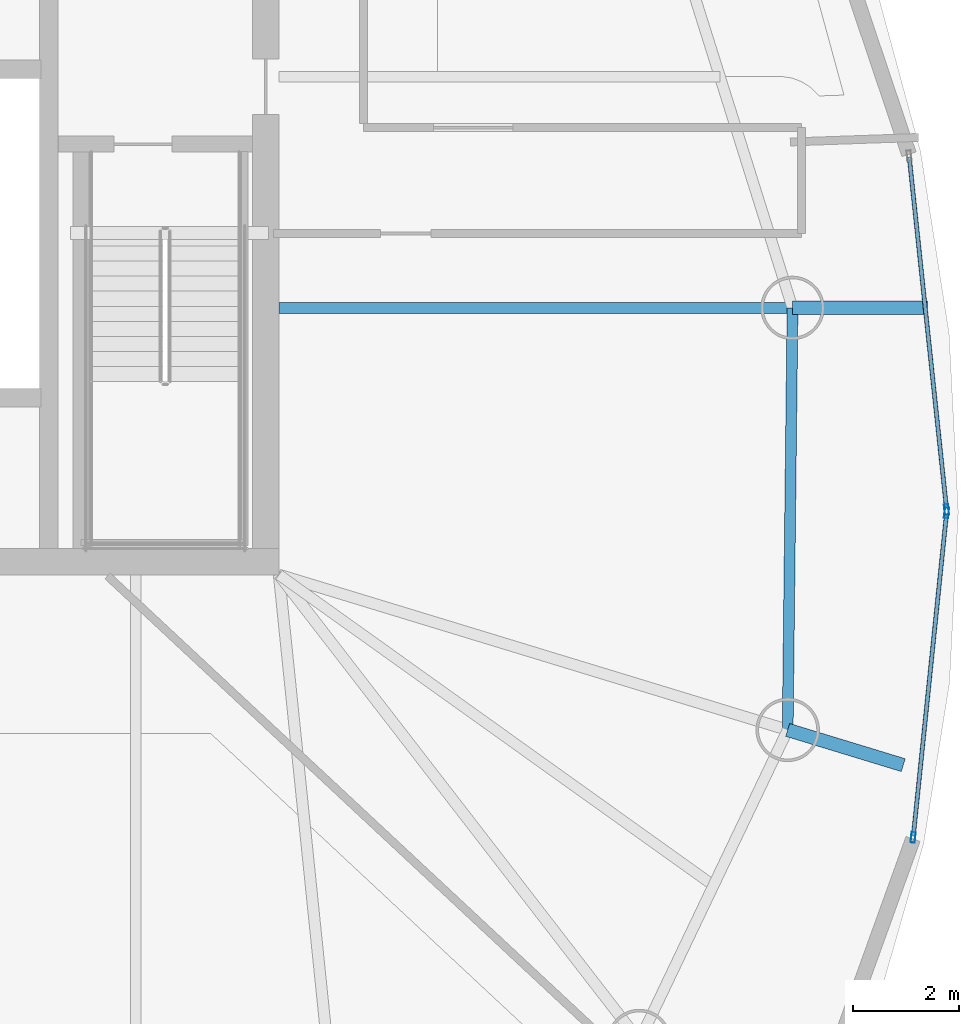
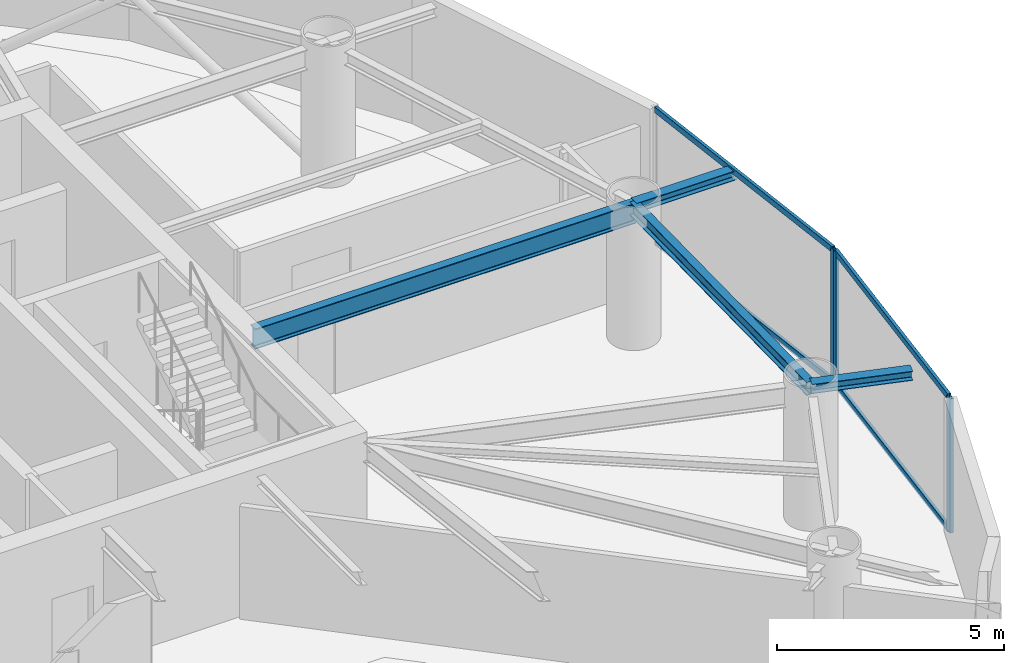
# One storey, part 7 of 20: 7 members, 4 beams, 2 elements without a shape of their own.
"""IFC4 building model written with IfcOpenShell, lengths in metres."""

from ifc_helpers import new_model, si_unit, direction, frame, origin, origin_2d, place, context, subcontext, project, spatial, hollow_rectangle, i_section, extrude, material, layer, layer_set, material_profile, profile_set, type_object, element, aggregate, save


model = new_model("IFC4")

# Units and contexts
model_context = context("Model", 3, precision=1e-05, world=origin(), true_north=direction((0.0, 1.0)))
body_context = subcontext(model_context, "Body", "Model", "MODEL_VIEW")
ifc_project = project(units=[si_unit("LENGTHUNIT", "METRE"), si_unit("AREAUNIT", "SQUARE_METRE"), si_unit("VOLUMEUNIT", "CUBIC_METRE"), si_unit("PLANEANGLEUNIT", "RADIAN"), si_unit("MASSUNIT", "GRAM", prefix="KILO")], contexts=[model_context])

# Site, building, storey
site_placement = place(None, origin())
site = spatial("IfcSite", under=ifc_project, at=site_placement, CompositionType="ELEMENT")
building_placement = place(site_placement, origin())
building = spatial("IfcBuilding", under=site, at=building_placement, Name="Bramvorn Convention Spire", CompositionType="ELEMENT")
storey_placement = place(building_placement, frame((0.0, 0.0, 228.949951171875)))
storey = spatial("IfcBuildingStorey", under=building, at=storey_placement, Name="L58", CompositionType="ELEMENT", Elevation=228.949951171875)

# Beams
ifc_material_1 = material(Name="Steel CSA G40.21 Grade 350 (350W)", Category="steel")
ifc_material_profile_1 = material_profile(ifc_material_1, i_section(OverallWidth=0.25390625, OverallDepth=0.2529296875, WebThickness=0.008544921875, FlangeThickness=0.01416015625, FilletRadius=0.011962890625, at=origin_2d()))
ifc_profile_set_1 = profile_set([ifc_material_profile_1], Name="Steel CSA G40.21 Grade 350 (350W) - W250X73")
beam_type_1 = type_object("IfcBeamType", Name="BM-W250X73", PredefinedType="BEAM", material=ifc_profile_set_1)
beam_1_placement = place(storey_placement, frame((58.863037109375, 15.619384765625, 3.49365234375), z_axis=(0.956563765384, -0.291523177045, 0.0), x_axis=(0.291523177045, 0.956563765384, 0.0)))
element("IfcBeam", 1, at=beam_1_placement, inside=storey, type_object=beam_type_1, Name="L58 slab-edge cantilever tip beam MC02", PredefinedType="BEAM", context=body_context, shape_type="SweptSolid", body=[
    extrude(i_section(OverallWidth=0.25390625, OverallDepth=0.2529296875, WebThickness=0.008544921875, FlangeThickness=0.01416015625, FilletRadius=0.011962890625, at=origin_2d()), origin(), (0.0, 0.0, 1.0), 2.28369140625),
])
beam_2_placement = place(storey_placement, frame((58.95458984375, 23.593505859375, 3.49365234375), z_axis=(1.0, 0.0, 0.0), x_axis=(0.0, 1.0, 0.0)))
element("IfcBeam", 2, at=beam_2_placement, inside=storey, type_object=beam_type_1, Name="L58 slab-edge cantilever tip beam MC03", PredefinedType="BEAM", context=body_context, shape_type="SweptSolid", body=[
    extrude(i_section(OverallWidth=0.25390625, OverallDepth=0.2529296875, WebThickness=0.008544921875, FlangeThickness=0.01416015625, FilletRadius=0.011962890625, at=origin_2d()), origin(), (0.0, 0.0, 1.0), 2.554931640625),
])
ifc_material_profile_2 = material_profile(ifc_material_1, i_section(OverallWidth=0.205078125, OverallDepth=0.35400390625, WebThickness=0.009521484375, FlangeThickness=0.016845703125, FilletRadius=0.014892578125, at=origin_2d()))
ifc_profile_set_2 = profile_set([ifc_material_profile_2], Name="Steel CSA G40.21 Grade 350 (350W) - W360X79")
beam_type_2 = type_object("IfcBeamType", Name="BM-W360X79", PredefinedType="JOIST", material=ifc_profile_set_2)
beam_3_placement = place(storey_placement, frame((58.863037109375, 15.619384765625, 3.443115234375), z_axis=(0.011480475367, 0.999934097171, 0.0), x_axis=(-0.999934097171, 0.011480475367, 0.0)))
element("IfcBeam", 3, at=beam_3_placement, inside=storey, type_object=beam_type_2, Name="L58 mega-column ring beam 02", PredefinedType="JOIST", context=body_context, shape_type="SweptSolid", body=[
    extrude(i_section(OverallWidth=0.205078125, OverallDepth=0.35400390625, WebThickness=0.009521484375, FlangeThickness=0.016845703125, FilletRadius=0.014892578125, at=origin_2d()), origin(), (0.0, 0.0, 1.0), 7.974609375),
])
ifc_material_profile_3 = material_profile(ifc_material_1, i_section(OverallWidth=0.2119140625, OverallDepth=0.5439453125, WebThickness=0.01318359375, FlangeThickness=0.021240234375, FilletRadius=0.01904296875, at=origin_2d()))
ifc_profile_set_3 = profile_set([ifc_material_profile_3], Name="Steel CSA G40.21 Grade 350 (350W) - W530X123")
beam_type_3 = type_object("IfcBeamType", Name="BM-W530X123", PredefinedType="BEAM", material=ifc_profile_set_3)
beam_4_placement = place(storey_placement, frame((49.25, 23.593505859375, 3.34814453125), z_axis=(1.0, 0.0, 0.0), x_axis=(0.0, 1.0, 0.0)))
element("IfcBeam", 4, at=beam_4_placement, inside=storey, type_object=beam_type_3, Name="L58 radial floor girder MC03", PredefinedType="BEAM", context=body_context, shape_type="SweptSolid", body=[
    extrude(i_section(OverallWidth=0.2119140625, OverallDepth=0.5439453125, WebThickness=0.01318359375, FlangeThickness=0.021240234375, FilletRadius=0.01904296875, at=origin_2d()), origin(), (0.0, 0.0, 1.0), 9.70458984375),
])

# Curtain wall, members
ifc_material_2 = material(Name="Anodised Bronze Unitised Curtain Wall", Category="aluminium")
ifc_layer = layer(ifc_material_2, 0.179931640625)
ifc_layer_set = layer_set([ifc_layer], Name="Anodised Bronze Unitised Curtain Wall - CW-OFF-FRIT")
curtain_wall_type = type_object("IfcCurtainWallType", Name="CW-OFF-FRIT", PredefinedType="USERDEFINED", material=ifc_layer_set)
curtain_wall_1_placement = place(storey_placement, origin())
curtain_wall_1 = element("IfcCurtainWall", 5, at=curtain_wall_1_placement, inside=storey, type_object=curtain_wall_type, Name="L58 fritted glass curtain wall 03", ObjectType="UNITISED CURTAIN WALL", PredefinedType="USERDEFINED")
ifc_material_3 = material(Name="Anodised Bronze Aluminium 6063-T6", Category="aluminium")
ifc_material_profile_4 = material_profile(ifc_material_3, hollow_rectangle(XDim=0.080078125, YDim=0.199951171875, WallThickness=0.00390625, InnerFilletRadius=0.0009765625, OuterFilletRadius=0.00390625, at=origin_2d()))
ifc_profile_set_4 = profile_set([ifc_material_profile_4], Name="Anodised Bronze Aluminium 6063-T6 - CWM80X200")
member_type_1 = type_object("IfcMemberType", Name="CW-MUL-180", PredefinedType="MULLION", material=ifc_profile_set_4)
member_1_placement = place(storey_placement, frame((61.866455078125, 19.721923828125, 0.0), z_axis=(0.0, 0.0, 1.0), x_axis=(0.994741277779, -0.102419677219, 0.0)))
member_1 = element("IfcMember", 6, at=member_1_placement, type_object=member_type_1, Name="CW3 mullion 1", PredefinedType="MULLION", context=body_context, shape_type="SweptSolid", body=[
    extrude(hollow_rectangle(XDim=0.080078125, YDim=0.199951171875, WallThickness=0.00390625, InnerFilletRadius=0.0009765625, OuterFilletRadius=0.00390625, at=origin_2d()), origin(), (0.0, 0.0, 1.0), 3.6201171875),
])
member_2_placement = place(storey_placement, frame((61.23486328125, 13.588134765625, 0.0), z_axis=(0.0, 0.0, 1.0), x_axis=(0.994741277779, -0.102419677219, 0.0)))
member_2 = element("IfcMember", 7, at=member_2_placement, type_object=member_type_1, Name="CW3 mullion 2", PredefinedType="MULLION", context=body_context, shape_type="SweptSolid", body=[
    extrude(hollow_rectangle(XDim=0.080078125, YDim=0.199951171875, WallThickness=0.00390625, InnerFilletRadius=0.0009765625, OuterFilletRadius=0.00390625, at=origin_2d()), origin(), (0.0, 0.0, 1.0), 3.6201171875),
])

# Curtain wall, member
curtain_wall_2_placement = place(storey_placement, origin())
curtain_wall_2 = element("IfcCurtainWall", 8, at=curtain_wall_2_placement, inside=storey, type_object=curtain_wall_type, Name="L58 fritted glass curtain wall 04", ObjectType="UNITISED CURTAIN WALL", PredefinedType="USERDEFINED")
member_3_placement = place(storey_placement, frame((61.866455078125, 19.78173828125, 0.0), z_axis=(0.0, 0.0, 1.0), x_axis=(0.994436021068, 0.10534229921, 0.0)))
member_3 = element("IfcMember", 9, at=member_3_placement, type_object=member_type_1, Name="CW3 mullion 2", PredefinedType="MULLION", context=body_context, shape_type="SweptSolid", body=[
    extrude(hollow_rectangle(XDim=0.080078125, YDim=0.199951171875, WallThickness=0.00390625, InnerFilletRadius=0.0009765625, OuterFilletRadius=0.00390625, at=origin_2d()), origin(), (0.0, 0.0, 1.0), 3.6201171875),
])

# Member
ifc_material_profile_5 = material_profile(ifc_material_3, hollow_rectangle(XDim=0.080078125, YDim=0.159912109375, WallThickness=0.00390625, InnerFilletRadius=0.0009765625, OuterFilletRadius=0.00390625, at=origin_2d()))
ifc_profile_set_5 = profile_set([ifc_material_profile_5], Name="Anodised Bronze Aluminium 6063-T6 - CWT80X160")
member_type_2 = type_object("IfcMemberType", Name="CW-TRN-150", PredefinedType="USERDEFINED", material=ifc_profile_set_5)
member_4_placement = place(storey_placement, frame((61.86328125, 19.692138671875, 0.030029296875), z_axis=(-0.102393063865, -0.99474401756, 0.0), x_axis=(0.99474401756, -0.102393063865, 0.0)))
member_4 = element("IfcMember", 10, at=member_4_placement, type_object=member_type_2, Name="CW3 transom 1.1", ObjectType="TRANSOM", PredefinedType="USERDEFINED", context=body_context, shape_type="SweptSolid", body=[
    extrude(hollow_rectangle(XDim=0.080078125, YDim=0.159912109375, WallThickness=0.00390625, InnerFilletRadius=0.0009765625, OuterFilletRadius=0.00390625, at=origin_2d()), origin(), (0.0, 0.0, 1.0), 6.106201171875),
])

member_5_placement = place(storey_placement, frame((61.86328125, 19.692138671875, 3.590087890625), z_axis=(-0.102393063865, -0.99474401756, 0.0), x_axis=(0.99474401756, -0.102393063865, 0.0)))
member_5 = element("IfcMember", 11, at=member_5_placement, type_object=member_type_2, Name="CW3 transom 1.2", ObjectType="TRANSOM", PredefinedType="USERDEFINED", context=body_context, shape_type="SweptSolid", body=[
    extrude(hollow_rectangle(XDim=0.080078125, YDim=0.159912109375, WallThickness=0.00390625, InnerFilletRadius=0.0009765625, OuterFilletRadius=0.00390625, at=origin_2d()), origin(), (0.0, 0.0, 1.0), 6.106201171875),
])

aggregate(curtain_wall_1, [member_1, member_2, member_4, member_5])

member_6_placement = place(storey_placement, frame((61.1611328125, 26.43896484375, 0.030029296875), z_axis=(0.105355994399, -0.994434570218, 0.0), x_axis=(0.994434570218, 0.105355994399, 0.0)))
member_6 = element("IfcMember", 12, at=member_6_placement, type_object=member_type_2, Name="CW3 transom 1.1", ObjectType="TRANSOM", PredefinedType="USERDEFINED", context=body_context, shape_type="SweptSolid", body=[
    extrude(hollow_rectangle(XDim=0.080078125, YDim=0.159912109375, WallThickness=0.00390625, InnerFilletRadius=0.0009765625, OuterFilletRadius=0.00390625, at=origin_2d()), origin(), (0.0, 0.0, 1.0), 6.66455078125),
])

member_7_placement = place(storey_placement, frame((61.1611328125, 26.43896484375, 3.590087890625), z_axis=(0.105355994399, -0.994434570218, 0.0), x_axis=(0.994434570218, 0.105355994399, 0.0)))
member_7 = element("IfcMember", 13, at=member_7_placement, type_object=member_type_2, Name="CW3 transom 1.2", ObjectType="TRANSOM", PredefinedType="USERDEFINED", context=body_context, shape_type="SweptSolid", body=[
    extrude(hollow_rectangle(XDim=0.080078125, YDim=0.159912109375, WallThickness=0.00390625, InnerFilletRadius=0.0009765625, OuterFilletRadius=0.00390625, at=origin_2d()), origin(), (0.0, 0.0, 1.0), 6.66455078125),
])

aggregate(curtain_wall_2, [member_3, member_6, member_7])

save(model, "model.ifc")
